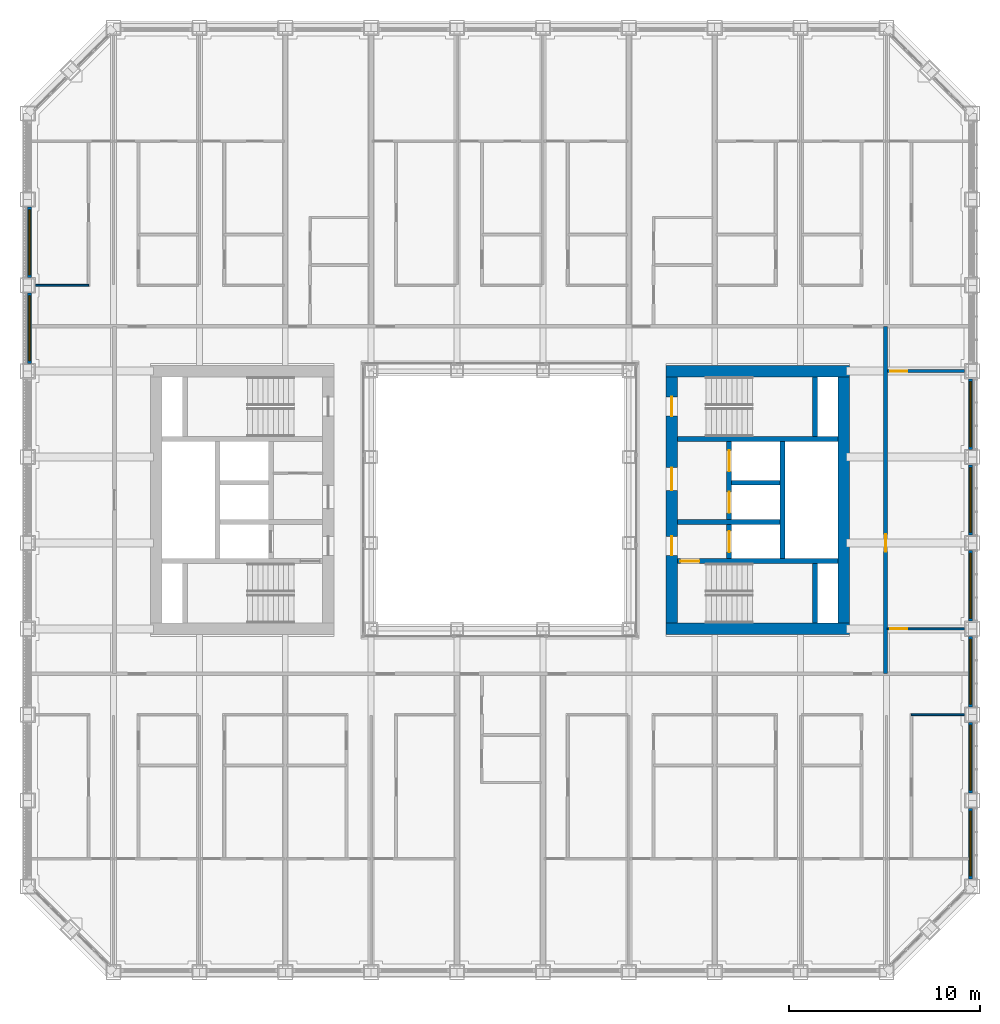
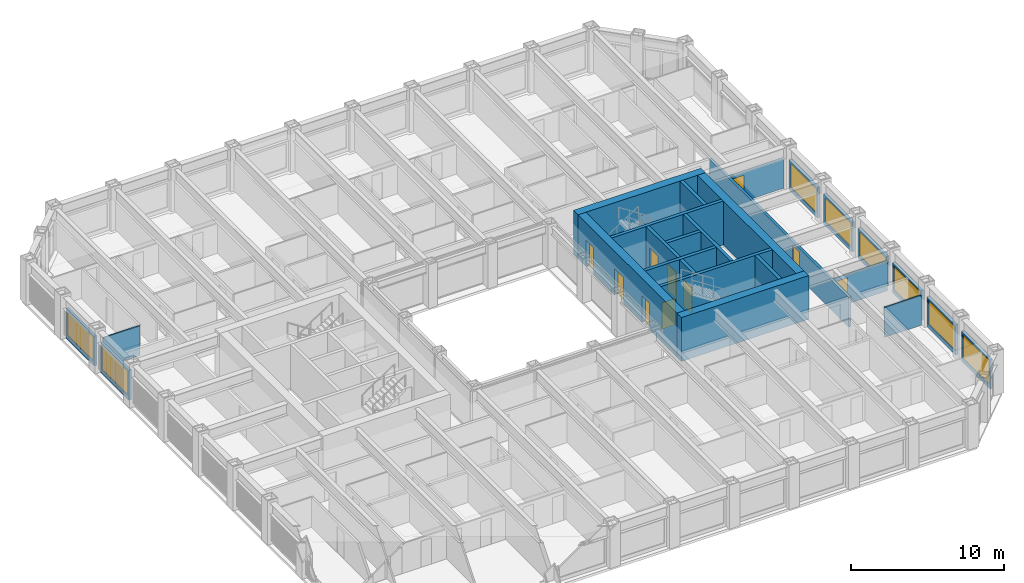
# One storey, part 12 of 20: 25 walls, 10 doors, 8 windows, 18 openings.
"""IFC4 building model written with IfcOpenShell, lengths in metres."""

from ifc_helpers import new_model, si_unit, direction, frame, frame_2d, origin, place, context, subcontext, project, spatial, rectangle, extrude, material, layer, layer_set, type_object, element, fill, save


model = new_model("IFC4")

# Units and contexts
model_context = context("Model", 3, precision=1e-05, world=origin(), true_north=direction((0.0, 1.0)))
body_context = subcontext(model_context, "Body", "Model", "MODEL_VIEW")
ifc_project = project(units=[si_unit("LENGTHUNIT", "METRE"), si_unit("AREAUNIT", "SQUARE_METRE"), si_unit("VOLUMEUNIT", "CUBIC_METRE"), si_unit("PLANEANGLEUNIT", "RADIAN"), si_unit("MASSUNIT", "GRAM", prefix="KILO")], contexts=[model_context])

# Site, building, storey
site_placement = place(None, origin())
site = spatial("IfcSite", under=ifc_project, at=site_placement, CompositionType="ELEMENT")
building_placement = place(site_placement, origin())
building = spatial("IfcBuilding", under=site, at=building_placement, Name="Msasa Ring Tower", CompositionType="ELEMENT")
storey_placement = place(building_placement, frame((0.0, 0.0, 65.0)))
storey = spatial("IfcBuildingStorey", under=building, at=storey_placement, Name="L16", CompositionType="ELEMENT", Elevation=65.0)

# Walls
ifc_material_1 = material(Name="Concrete C60/75", Category="concrete")
ifc_layer_1 = layer(ifc_material_1, 0.60009765625)
ifc_layer_set_1 = layer_set([ifc_layer_1], Name="CW1 CORE WALL 600")
wall_type_1 = type_object("IfcWallType", Name="CW1 CORE WALL 600", PredefinedType="SHEAR", material=ifc_layer_set_1)
for number, where, z_axis, x_axis, name in (
    (1, (8.699951171875, -6.75, 0.0), (0.0, 0.0, 1.0), (1.0, 0.0, 0.0), "E core wall S L16"),
    (2, (8.699951171875, 6.75, 0.0), (0.0, 0.0, 1.0), (1.0, 0.0, 0.0), "E core wall N L16"),
):
    element("IfcWall", number, at=place(storey_placement, frame(where, z_axis=z_axis, x_axis=x_axis)), inside=storey, type_object=wall_type_1, Name=name, PredefinedType="SHEAR", context=body_context, shape_type="SweptSolid", body=[
        extrude(rectangle(XDim=9.60009765625, YDim=0.60009765625, at=frame_2d((4.800048828125, 0.0))), origin(), (0.0, 0.0, 1.0), 3.5),
    ])

# Wall, openings, doors
wall_1_placement = place(storey_placement, frame((9.0, -6.449951171875, 0.0), z_axis=(0.0, 0.0, 1.0), x_axis=(0.0, 1.0, 0.0)))
wall_1 = element("IfcWall", 3, at=wall_1_placement, inside=storey, type_object=wall_type_1, Name="E core wall W L16", PredefinedType="SHEAR", context=body_context, shape_type="SweptSolid", body=[
    extrude(rectangle(XDim=12.89990234375, YDim=0.60009765625, at=frame_2d((6.449951171875, 0.0))), origin(), (0.0, 0.0, 1.0), 3.5),
])
opening_1_placement = place(wall_1_placement, frame((3.550048828125, 0.0, 0.0)))
opening_1 = element("IfcOpeningElement", 4, at=opening_1_placement, cuts=wall_1, Name="Opening RD-043", PredefinedType="OPENING", context=body_context, shape_type="SweptSolid", body=[
    extrude(rectangle(XDim=1.0, YDim=2.10009765625, at=frame_2d((0.5, 1.050048828125))), frame((0.0, 0.31005859375, 0.0), z_axis=(0.0, -1.0, 0.0), x_axis=(1.0, 0.0, 0.0)), (0.0, 0.0, 1.0), 0.6201171875),
])
opening_2_placement = place(wall_1_placement, frame((6.949951171875, 0.0, 0.0)))
opening_2 = element("IfcOpeningElement", 5, at=opening_2_placement, cuts=wall_1, Name="Opening RD-038", PredefinedType="OPENING", context=body_context, shape_type="SweptSolid", body=[
    extrude(rectangle(XDim=1.199951171875, YDim=2.10009765625, at=frame_2d((0.60009765625, 1.050048828125))), frame((0.0, 0.31005859375, 0.0), z_axis=(0.0, -1.0, 0.0), x_axis=(1.0, 0.0, 0.0)), (0.0, 0.0, 1.0), 0.6201171875),
])
opening_3_placement = place(wall_1_placement, frame((10.85009765625, 0.0, 0.0)))
opening_3 = element("IfcOpeningElement", 6, at=opening_3_placement, cuts=wall_1, Name="Opening RD-036", PredefinedType="OPENING", context=body_context, shape_type="SweptSolid", body=[
    extrude(rectangle(XDim=1.0, YDim=2.10009765625, at=frame_2d((0.5, 1.050048828125))), frame((0.0, 0.31005859375, 0.0), z_axis=(0.0, -1.0, 0.0), x_axis=(1.0, 0.0, 0.0)), (0.0, 0.0, 1.0), 0.6201171875),
])
ifc_material_2 = material(Name="Timber door leaf in a steel frame", Category="steel")
door_type_1 = type_object("IfcDoorType", Name="D4 LOBBY DOOR 1000x2100", OperationType="SINGLE_SWING_LEFT", PredefinedType="DOOR", material=ifc_material_2)
door_1_placement = place(opening_1_placement, origin())
door_1 = element("IfcDoor", 7, at=door_1_placement, inside=storey, type_object=door_type_1, Name="Door L16-EFFL", OperationType="SINGLE_SWING_LEFT", OverallHeight=2.10009765625, OverallWidth=1.0, PredefinedType="DOOR", context=body_context, shape_type="SweptSolid", body=[
    extrude(rectangle(XDim=1.0, YDim=2.10009765625, at=frame_2d((0.5, 1.050048828125))), frame((0.0, 0.02490234375, 0.0), z_axis=(0.0, -1.0, 0.0), x_axis=(1.0, 0.0, 0.0)), (0.0, 0.0, 1.0), 0.050048828125),
])
fill(opening_1, door_1)
ifc_material_3 = material(Name="Timber door leaf in a steel frame", Category="steel")
door_type_2 = type_object("IfcDoorType", Name="D5 WIDE LOBBY DOOR 1200x2100", OperationType="SINGLE_SWING_LEFT", PredefinedType="DOOR", material=ifc_material_3)
door_2_placement = place(opening_2_placement, origin())
door_2 = element("IfcDoor", 8, at=door_2_placement, inside=storey, type_object=door_type_2, Name="Door L16-ELL", OperationType="SINGLE_SWING_RIGHT", OverallHeight=2.10009765625, OverallWidth=1.199951171875, PredefinedType="DOOR", context=body_context, shape_type="SweptSolid", body=[
    extrude(rectangle(XDim=1.199951171875, YDim=2.10009765625, at=frame_2d((0.60009765625, 1.050048828125))), frame((0.0, 0.02490234375, 0.0), z_axis=(0.0, -1.0, 0.0), x_axis=(1.0, 0.0, 0.0)), (0.0, 0.0, 1.0), 0.050048828125),
])
fill(opening_2, door_2)
ifc_material_4 = material(Name="Timber door leaf in a steel frame", Category="steel")
door_type_3 = type_object("IfcDoorType", Name="D6 STAIR DOOR 1000x2100", OperationType="SINGLE_SWING_LEFT", PredefinedType="DOOR", material=ifc_material_4)
door_3_placement = place(opening_3_placement, origin())
door_3 = element("IfcDoor", 9, at=door_3_placement, inside=storey, type_object=door_type_3, Name="Door L16-ESTB", OperationType="SINGLE_SWING_RIGHT", OverallHeight=2.10009765625, OverallWidth=1.0, PredefinedType="DOOR", context=body_context, shape_type="SweptSolid", body=[
    extrude(rectangle(XDim=1.0, YDim=2.10009765625, at=frame_2d((0.5, 1.050048828125))), frame((0.0, 0.02490234375, 0.0), z_axis=(0.0, -1.0, 0.0), x_axis=(1.0, 0.0, 0.0)), (0.0, 0.0, 1.0), 0.050048828125),
])
fill(opening_3, door_3)

# Wall
wall_2_placement = place(storey_placement, frame((18.0, -6.449951171875, 0.0), z_axis=(0.0, 0.0, 1.0), x_axis=(0.0, 1.0, 0.0)))
element("IfcWall", 10, at=wall_2_placement, inside=storey, type_object=wall_type_1, Name="E core wall E L16", PredefinedType="SHEAR", context=body_context, shape_type="SweptSolid", body=[
    extrude(rectangle(XDim=12.89990234375, YDim=0.60009765625, at=frame_2d((6.449951171875, 0.0))), origin(), (0.0, 0.0, 1.0), 3.5),
])

# Wall, opening, door
ifc_material_5 = material(Name="Concrete C60/75", Category="concrete")
ifc_layer_2 = layer(ifc_material_5, 0.25)
ifc_layer_set_2 = layer_set([ifc_layer_2], Name="CW4 CORE INNER WALL 250")
wall_type_2 = type_object("IfcWallType", Name="CW4 CORE INNER WALL 250", PredefinedType="SHEAR", material=ifc_layer_set_2)
wall_3_placement = place(storey_placement, frame((9.300048828125, -3.199951171875, 0.0), z_axis=(0.0, 0.0, 1.0), x_axis=(1.0, 0.0, 0.0)))
wall_3 = element("IfcWall", 11, at=wall_3_placement, inside=storey, type_object=wall_type_2, Name="E core wall STAIRA L16", PredefinedType="SHEAR", context=body_context, shape_type="SweptSolid", body=[
    extrude(rectangle(XDim=8.39990234375, YDim=0.25, at=frame_2d((4.199951171875, 0.0))), origin(), (0.0, 0.0, 1.0), 3.5),
])
opening_4_placement = place(wall_3_placement, frame((0.14990234375, 0.0, 0.0)))
opening_4 = element("IfcOpeningElement", 12, at=opening_4_placement, cuts=wall_3, Name="Opening RD-045", PredefinedType="OPENING", context=body_context, shape_type="SweptSolid", body=[
    extrude(rectangle(XDim=1.0, YDim=2.10009765625, at=frame_2d((0.5, 1.050048828125))), frame((0.0, 0.135009765625, 0.0), z_axis=(0.0, -1.0, 0.0), x_axis=(1.0, 0.0, 0.0)), (0.0, 0.0, 1.0), 0.27001953125),
])
door_4_placement = place(opening_4_placement, origin())
door_4 = element("IfcDoor", 13, at=door_4_placement, inside=storey, type_object=door_type_3, Name="Door L16-ESTA", OperationType="SINGLE_SWING_LEFT", OverallHeight=2.10009765625, OverallWidth=1.0, PredefinedType="DOOR", context=body_context, shape_type="SweptSolid", body=[
    extrude(rectangle(XDim=1.0, YDim=2.10009765625, at=frame_2d((0.5, 1.050048828125))), frame((0.0, 0.02490234375, 0.0), z_axis=(0.0, -1.0, 0.0), x_axis=(1.0, 0.0, 0.0)), (0.0, 0.0, 1.0), 0.050048828125),
])
fill(opening_4, door_4)

# Walls
wall_4_placement = place(storey_placement, frame((9.300048828125, 3.199951171875, 0.0), z_axis=(0.0, 0.0, 1.0), x_axis=(1.0, 0.0, 0.0)))
element("IfcWall", 14, at=wall_4_placement, inside=storey, type_object=wall_type_2, Name="E core wall STAIRB L16", PredefinedType="SHEAR", context=body_context, shape_type="SweptSolid", body=[
    extrude(rectangle(XDim=8.39990234375, YDim=0.25, at=frame_2d((4.199951171875, 0.0))), origin(), (0.0, 0.0, 1.0), 3.5),
])
for number, where, z_axis, x_axis, name in (
    (15, (16.5, -6.449951171875, 0.0), (0.0, 0.0, 1.0), (0.0, 1.0, 0.0), "E core wall RISERA L16"),
    (16, (16.5, 3.324951171875, 0.0), (0.0, 0.0, 1.0), (0.0, 1.0, 0.0), "E core wall RISERB L16"),
):
    element("IfcWall", number, at=place(storey_placement, frame(where, z_axis=z_axis, x_axis=x_axis)), inside=storey, type_object=wall_type_2, Name=name, PredefinedType="SHEAR", context=body_context, shape_type="SweptSolid", body=[
        extrude(rectangle(XDim=3.125, YDim=0.25, at=frame_2d((1.5625, 0.0))), origin(), (0.0, 0.0, 1.0), 3.5),
    ])
wall_5_placement = place(storey_placement, frame((9.300048828125, -1.14990234375, 0.0), z_axis=(0.0, 0.0, 1.0), x_axis=(1.0, 0.0, 0.0)))
element("IfcWall", 17, at=wall_5_placement, inside=storey, type_object=wall_type_2, Name="E core wall FFL L16", PredefinedType="SHEAR", context=body_context, shape_type="SweptSolid", body=[
    extrude(rectangle(XDim=5.375, YDim=0.25, at=frame_2d((2.6875, 0.0))), origin(), (0.0, 0.0, 1.0), 3.5),
])

# Wall, openings, doors
wall_6_placement = place(storey_placement, frame((12.0, -3.074951171875, 0.0), z_axis=(0.0, 0.0, 1.0), x_axis=(0.0, 1.0, 0.0)))
wall_6 = element("IfcWall", 18, at=wall_6_placement, inside=storey, type_object=wall_type_2, Name="E core wall LOBBY L16", PredefinedType="SHEAR", context=body_context, shape_type="SweptSolid", body=[
    extrude(rectangle(XDim=6.14990234375, YDim=0.25, at=frame_2d((3.074951171875, 0.0))), origin(), (0.0, 0.0, 1.0), 3.5),
])
opening_5_placement = place(wall_6_placement, frame((0.35009765625, 0.0, 0.0)))
opening_5 = element("IfcOpeningElement", 19, at=opening_5_placement, cuts=wall_6, Name="Opening LD1", PredefinedType="OPENING", context=body_context, shape_type="SweptSolid", body=[
    extrude(rectangle(XDim=1.10009765625, YDim=2.10009765625, at=frame_2d((0.550048828125, 1.050048828125))), frame((0.0, 0.135009765625, 0.0), z_axis=(0.0, -1.0, 0.0), x_axis=(1.0, 0.0, 0.0)), (0.0, 0.0, 1.0), 0.27001953125),
])
opening_6_placement = place(wall_6_placement, frame((2.39990234375, 0.0, 0.0)))
opening_6 = element("IfcOpeningElement", 20, at=opening_6_placement, cuts=wall_6, Name="Opening LD1", PredefinedType="OPENING", context=body_context, shape_type="SweptSolid", body=[
    extrude(rectangle(XDim=1.10009765625, YDim=2.10009765625, at=frame_2d((0.550048828125, 1.050048828125))), frame((0.0, 0.135009765625, 0.0), z_axis=(0.0, -1.0, 0.0), x_axis=(1.0, 0.0, 0.0)), (0.0, 0.0, 1.0), 0.27001953125),
])
opening_7_placement = place(wall_6_placement, frame((4.574951171875, 0.0, 0.0)))
opening_7 = element("IfcOpeningElement", 21, at=opening_7_placement, cuts=wall_6, Name="Opening LD1", PredefinedType="OPENING", context=body_context, shape_type="SweptSolid", body=[
    extrude(rectangle(XDim=1.10009765625, YDim=2.10009765625, at=frame_2d((0.550048828125, 1.050048828125))), frame((0.0, 0.135009765625, 0.0), z_axis=(0.0, -1.0, 0.0), x_axis=(1.0, 0.0, 0.0)), (0.0, 0.0, 1.0), 0.27001953125),
])
ifc_material_6 = material(Name="Stainless steel lift landing door", Category="steel")
door_type_4 = type_object("IfcDoorType", Name="LD1 LIFT LANDING DOOR 1100x2100", OperationType="DOUBLE_DOOR_SLIDING", PredefinedType="DOOR", material=ifc_material_6)
door_5_placement = place(opening_5_placement, origin())
door_5 = element("IfcDoor", 22, at=door_5_placement, inside=storey, type_object=door_type_4, Name="Lift landing door FL-E L16", OperationType="DOUBLE_DOOR_SLIDING", OverallHeight=2.10009765625, OverallWidth=1.10009765625, PredefinedType="DOOR", context=body_context, shape_type="SweptSolid", body=[
    extrude(rectangle(XDim=1.10009765625, YDim=2.10009765625, at=frame_2d((0.550048828125, 1.050048828125))), frame((0.0, 0.02490234375, 0.0), z_axis=(0.0, -1.0, 0.0), x_axis=(1.0, 0.0, 0.0)), (0.0, 0.0, 1.0), 0.050048828125),
])
fill(opening_5, door_5)
door_6_placement = place(opening_6_placement, origin())
door_6 = element("IfcDoor", 23, at=door_6_placement, inside=storey, type_object=door_type_4, Name="Lift landing door PL-R1 L16", OperationType="DOUBLE_DOOR_SLIDING", OverallHeight=2.10009765625, OverallWidth=1.10009765625, PredefinedType="DOOR", context=body_context, shape_type="SweptSolid", body=[
    extrude(rectangle(XDim=1.10009765625, YDim=2.10009765625, at=frame_2d((0.550048828125, 1.050048828125))), frame((0.0, 0.02490234375, 0.0), z_axis=(0.0, -1.0, 0.0), x_axis=(1.0, 0.0, 0.0)), (0.0, 0.0, 1.0), 0.050048828125),
])
fill(opening_6, door_6)
door_7_placement = place(opening_7_placement, origin())
door_7 = element("IfcDoor", 24, at=door_7_placement, inside=storey, type_object=door_type_4, Name="Lift landing door PL-R2 L16", OperationType="DOUBLE_DOOR_SLIDING", OverallHeight=2.10009765625, OverallWidth=1.10009765625, PredefinedType="DOOR", context=body_context, shape_type="SweptSolid", body=[
    extrude(rectangle(XDim=1.10009765625, YDim=2.10009765625, at=frame_2d((0.550048828125, 1.050048828125))), frame((0.0, 0.02490234375, 0.0), z_axis=(0.0, -1.0, 0.0), x_axis=(1.0, 0.0, 0.0)), (0.0, 0.0, 1.0), 0.050048828125),
])
fill(opening_7, door_7)

# Walls
wall_7_placement = place(storey_placement, frame((14.800048828125, -3.074951171875, 0.0), z_axis=(0.0, 0.0, 1.0), x_axis=(0.0, 1.0, 0.0)))
element("IfcWall", 25, at=wall_7_placement, inside=storey, type_object=wall_type_2, Name="E core wall SHAFT L16", PredefinedType="SHEAR", context=body_context, shape_type="SweptSolid", body=[
    extrude(rectangle(XDim=6.14990234375, YDim=0.25, at=frame_2d((3.074951171875, 0.0))), origin(), (0.0, 0.0, 1.0), 3.5),
])
wall_8_placement = place(storey_placement, frame((12.125, 0.89990234375, 0.0), z_axis=(0.0, 0.0, 1.0), x_axis=(1.0, 0.0, 0.0)))
element("IfcWall", 26, at=wall_8_placement, inside=storey, type_object=wall_type_2, Name="E core wall LIFT1 L16", PredefinedType="SHEAR", context=body_context, shape_type="SweptSolid", body=[
    extrude(rectangle(XDim=2.550048828125, YDim=0.25, at=frame_2d((1.27490234375, 0.0))), origin(), (0.0, 0.0, 1.0), 3.5),
])

# Wall, opening, window
ifc_material_7 = material(Name="Terracotta rainscreen on blockwork", Category="masonry")
ifc_layer_3 = layer(ifc_material_7, 0.199951171875)
ifc_layer_set_3 = layer_set([ifc_layer_3], Name="FW1 TERRACOTTA-LINED INFILL BAY WALL 200")
wall_type_3 = type_object("IfcWallType", Name="FW1 TERRACOTTA-LINED INFILL BAY WALL 200", PredefinedType="SOLIDWALL", material=ifc_layer_set_3)
wall_9_placement = place(storey_placement, frame((24.64990234375, -19.844970703125, 0.0), z_axis=(0.0, 0.0, 1.0), x_axis=(0.0, 1.0, 0.0)))
wall_9 = element("IfcWall", 27, at=wall_9_placement, inside=storey, type_object=wall_type_3, Name="Infill bay wall E L16 11", PredefinedType="SOLIDWALL", context=body_context, shape_type="SweptSolid", body=[
    extrude(rectangle(XDim=3.68994140625, YDim=0.199951171875, at=frame_2d((1.844970703125, 0.0))), origin(), (0.0, 0.0, 1.0), 2.37890625),
])
opening_8_placement = place(wall_9_placement, frame((0.14501953125, 0.0, 0.300048828125)))
opening_8 = element("IfcOpeningElement", 28, at=opening_8_placement, cuts=wall_9, Name="Opening WN1", PredefinedType="OPENING", context=body_context, shape_type="SweptSolid", body=[
    extrude(rectangle(XDim=3.39990234375, YDim=1.928955078125, at=frame_2d((1.699951171875, 0.96435546875))), frame((0.0, 0.10986328125, 0.0), z_axis=(0.0, -1.0, 0.0), x_axis=(1.0, 0.0, 0.0)), (0.0, 0.0, 1.0), 0.219970703125),
])
ifc_material_8 = material(Name="Aluminium frame with clear glass", Category="aluminium")
window_type = type_object("IfcWindowType", Name="WN1 RESIDENCE WINDOW 3400x1929", PartitioningType="SINGLE_PANEL", PredefinedType="WINDOW", material=ifc_material_8)
window_1_placement = place(opening_8_placement, origin())
window_1 = element("IfcWindow", 29, at=window_1_placement, inside=storey, type_object=window_type, Name="Window E L16 11", OverallHeight=1.928955078125, OverallWidth=3.39990234375, PartitioningType="SINGLE_PANEL", PredefinedType="WINDOW", context=body_context, shape_type="SweptSolid", body=[
    extrude(rectangle(XDim=3.39990234375, YDim=1.928955078125, at=frame_2d((1.699951171875, 0.96435546875))), frame((0.0, 0.030029296875, 0.0), z_axis=(0.0, -1.0, 0.0), x_axis=(1.0, 0.0, 0.0)), (0.0, 0.0, 1.0), 0.06005859375),
])
fill(opening_8, window_1)

wall_10_placement = place(storey_placement, frame((24.64990234375, -15.344970703125, 0.0), z_axis=(0.0, 0.0, 1.0), x_axis=(0.0, 1.0, 0.0)))
wall_10 = element("IfcWall", 30, at=wall_10_placement, inside=storey, type_object=wall_type_3, Name="Infill bay wall E L16 12", PredefinedType="SOLIDWALL", context=body_context, shape_type="SweptSolid", body=[
    extrude(rectangle(XDim=3.68994140625, YDim=0.199951171875, at=frame_2d((1.844970703125, 0.0))), origin(), (0.0, 0.0, 1.0), 2.37890625),
])
opening_9_placement = place(wall_10_placement, frame((0.14501953125, 0.0, 0.300048828125)))
opening_9 = element("IfcOpeningElement", 31, at=opening_9_placement, cuts=wall_10, Name="Opening WN1", PredefinedType="OPENING", context=body_context, shape_type="SweptSolid", body=[
    extrude(rectangle(XDim=3.39990234375, YDim=1.928955078125, at=frame_2d((1.699951171875, 0.96435546875))), frame((0.0, 0.10986328125, 0.0), z_axis=(0.0, -1.0, 0.0), x_axis=(1.0, 0.0, 0.0)), (0.0, 0.0, 1.0), 0.219970703125),
])
window_2_placement = place(opening_9_placement, origin())
window_2 = element("IfcWindow", 32, at=window_2_placement, inside=storey, type_object=window_type, Name="Window E L16 12", OverallHeight=1.928955078125, OverallWidth=3.39990234375, PartitioningType="SINGLE_PANEL", PredefinedType="WINDOW", context=body_context, shape_type="SweptSolid", body=[
    extrude(rectangle(XDim=3.39990234375, YDim=1.928955078125, at=frame_2d((1.699951171875, 0.96435546875))), frame((0.0, 0.030029296875, 0.0), z_axis=(0.0, -1.0, 0.0), x_axis=(1.0, 0.0, 0.0)), (0.0, 0.0, 1.0), 0.06005859375),
])
fill(opening_9, window_2)

wall_11_placement = place(storey_placement, frame((24.64990234375, -10.844970703125, 0.0), z_axis=(0.0, 0.0, 1.0), x_axis=(0.0, 1.0, 0.0)))
wall_11 = element("IfcWall", 33, at=wall_11_placement, inside=storey, type_object=wall_type_3, Name="Infill bay wall E L16 13", PredefinedType="SOLIDWALL", context=body_context, shape_type="SweptSolid", body=[
    extrude(rectangle(XDim=3.68994140625, YDim=0.199951171875, at=frame_2d((1.844970703125, 0.0))), origin(), (0.0, 0.0, 1.0), 2.37890625),
])
opening_10_placement = place(wall_11_placement, frame((0.14501953125, 0.0, 0.300048828125)))
opening_10 = element("IfcOpeningElement", 34, at=opening_10_placement, cuts=wall_11, Name="Opening WN1", PredefinedType="OPENING", context=body_context, shape_type="SweptSolid", body=[
    extrude(rectangle(XDim=3.39990234375, YDim=1.928955078125, at=frame_2d((1.699951171875, 0.96435546875))), frame((0.0, 0.10986328125, 0.0), z_axis=(0.0, -1.0, 0.0), x_axis=(1.0, 0.0, 0.0)), (0.0, 0.0, 1.0), 0.219970703125),
])
window_3_placement = place(opening_10_placement, origin())
window_3 = element("IfcWindow", 35, at=window_3_placement, inside=storey, type_object=window_type, Name="Window E L16 13", OverallHeight=1.928955078125, OverallWidth=3.39990234375, PartitioningType="SINGLE_PANEL", PredefinedType="WINDOW", context=body_context, shape_type="SweptSolid", body=[
    extrude(rectangle(XDim=3.39990234375, YDim=1.928955078125, at=frame_2d((1.699951171875, 0.96435546875))), frame((0.0, 0.030029296875, 0.0), z_axis=(0.0, -1.0, 0.0), x_axis=(1.0, 0.0, 0.0)), (0.0, 0.0, 1.0), 0.06005859375),
])
fill(opening_10, window_3)

wall_12_placement = place(storey_placement, frame((24.64990234375, -6.344970703125, 0.0), z_axis=(0.0, 0.0, 1.0), x_axis=(0.0, 1.0, 0.0)))
wall_12 = element("IfcWall", 36, at=wall_12_placement, inside=storey, type_object=wall_type_3, Name="Infill bay wall E L16 14", PredefinedType="SOLIDWALL", context=body_context, shape_type="SweptSolid", body=[
    extrude(rectangle(XDim=3.68994140625, YDim=0.199951171875, at=frame_2d((1.844970703125, 0.0))), origin(), (0.0, 0.0, 1.0), 2.37890625),
])
opening_11_placement = place(wall_12_placement, frame((0.14501953125, 0.0, 0.300048828125)))
opening_11 = element("IfcOpeningElement", 37, at=opening_11_placement, cuts=wall_12, Name="Opening WN1", PredefinedType="OPENING", context=body_context, shape_type="SweptSolid", body=[
    extrude(rectangle(XDim=3.39990234375, YDim=1.928955078125, at=frame_2d((1.699951171875, 0.96435546875))), frame((0.0, 0.10986328125, 0.0), z_axis=(0.0, -1.0, 0.0), x_axis=(1.0, 0.0, 0.0)), (0.0, 0.0, 1.0), 0.219970703125),
])
window_4_placement = place(opening_11_placement, origin())
window_4 = element("IfcWindow", 38, at=window_4_placement, inside=storey, type_object=window_type, Name="Window E L16 14", OverallHeight=1.928955078125, OverallWidth=3.39990234375, PartitioningType="SINGLE_PANEL", PredefinedType="WINDOW", context=body_context, shape_type="SweptSolid", body=[
    extrude(rectangle(XDim=3.39990234375, YDim=1.928955078125, at=frame_2d((1.699951171875, 0.96435546875))), frame((0.0, 0.030029296875, 0.0), z_axis=(0.0, -1.0, 0.0), x_axis=(1.0, 0.0, 0.0)), (0.0, 0.0, 1.0), 0.06005859375),
])
fill(opening_11, window_4)

wall_13_placement = place(storey_placement, frame((24.64990234375, -1.844970703125, 0.0), z_axis=(0.0, 0.0, 1.0), x_axis=(0.0, 1.0, 0.0)))
wall_13 = element("IfcWall", 39, at=wall_13_placement, inside=storey, type_object=wall_type_3, Name="Infill bay wall E L16 15", PredefinedType="SOLIDWALL", context=body_context, shape_type="SweptSolid", body=[
    extrude(rectangle(XDim=3.68994140625, YDim=0.199951171875, at=frame_2d((1.844970703125, 0.0))), origin(), (0.0, 0.0, 1.0), 2.37890625),
])
opening_12_placement = place(wall_13_placement, frame((0.14501953125, 0.0, 0.300048828125)))
opening_12 = element("IfcOpeningElement", 40, at=opening_12_placement, cuts=wall_13, Name="Opening WN1", PredefinedType="OPENING", context=body_context, shape_type="SweptSolid", body=[
    extrude(rectangle(XDim=3.39990234375, YDim=1.928955078125, at=frame_2d((1.699951171875, 0.96435546875))), frame((0.0, 0.10986328125, 0.0), z_axis=(0.0, -1.0, 0.0), x_axis=(1.0, 0.0, 0.0)), (0.0, 0.0, 1.0), 0.219970703125),
])
window_5_placement = place(opening_12_placement, origin())
window_5 = element("IfcWindow", 41, at=window_5_placement, inside=storey, type_object=window_type, Name="Window E L16 15", OverallHeight=1.928955078125, OverallWidth=3.39990234375, PartitioningType="SINGLE_PANEL", PredefinedType="WINDOW", context=body_context, shape_type="SweptSolid", body=[
    extrude(rectangle(XDim=3.39990234375, YDim=1.928955078125, at=frame_2d((1.699951171875, 0.96435546875))), frame((0.0, 0.030029296875, 0.0), z_axis=(0.0, -1.0, 0.0), x_axis=(1.0, 0.0, 0.0)), (0.0, 0.0, 1.0), 0.06005859375),
])
fill(opening_12, window_5)

wall_14_placement = place(storey_placement, frame((24.64990234375, 2.655029296875, 0.0), z_axis=(0.0, 0.0, 1.0), x_axis=(0.0, 1.0, 0.0)))
wall_14 = element("IfcWall", 42, at=wall_14_placement, inside=storey, type_object=wall_type_3, Name="Infill bay wall E L16 16", PredefinedType="SOLIDWALL", context=body_context, shape_type="SweptSolid", body=[
    extrude(rectangle(XDim=3.68994140625, YDim=0.199951171875, at=frame_2d((1.844970703125, 0.0))), origin(), (0.0, 0.0, 1.0), 2.37890625),
])
opening_13_placement = place(wall_14_placement, frame((0.14501953125, 0.0, 0.300048828125)))
opening_13 = element("IfcOpeningElement", 43, at=opening_13_placement, cuts=wall_14, Name="Opening WN1", PredefinedType="OPENING", context=body_context, shape_type="SweptSolid", body=[
    extrude(rectangle(XDim=3.39990234375, YDim=1.928955078125, at=frame_2d((1.699951171875, 0.96435546875))), frame((0.0, 0.10986328125, 0.0), z_axis=(0.0, -1.0, 0.0), x_axis=(1.0, 0.0, 0.0)), (0.0, 0.0, 1.0), 0.219970703125),
])
window_6_placement = place(opening_13_placement, origin())
window_6 = element("IfcWindow", 44, at=window_6_placement, inside=storey, type_object=window_type, Name="Window E L16 16", OverallHeight=1.928955078125, OverallWidth=3.39990234375, PartitioningType="SINGLE_PANEL", PredefinedType="WINDOW", context=body_context, shape_type="SweptSolid", body=[
    extrude(rectangle(XDim=3.39990234375, YDim=1.928955078125, at=frame_2d((1.699951171875, 0.96435546875))), frame((0.0, 0.030029296875, 0.0), z_axis=(0.0, -1.0, 0.0), x_axis=(1.0, 0.0, 0.0)), (0.0, 0.0, 1.0), 0.06005859375),
])
fill(opening_13, window_6)

wall_15_placement = place(storey_placement, frame((-24.64990234375, 7.155029296875, 0.0), z_axis=(0.0, 0.0, 1.0), x_axis=(0.0, 1.0, 0.0)))
wall_15 = element("IfcWall", 45, at=wall_15_placement, inside=storey, type_object=wall_type_3, Name="Infill bay wall W L16 39", PredefinedType="SOLIDWALL", context=body_context, shape_type="SweptSolid", body=[
    extrude(rectangle(XDim=3.68994140625, YDim=0.199951171875, at=frame_2d((1.844970703125, 0.0))), origin(), (0.0, 0.0, 1.0), 2.37890625),
])
opening_14_placement = place(wall_15_placement, frame((0.14501953125, 0.0, 0.300048828125)))
opening_14 = element("IfcOpeningElement", 46, at=opening_14_placement, cuts=wall_15, Name="Opening WN1", PredefinedType="OPENING", context=body_context, shape_type="SweptSolid", body=[
    extrude(rectangle(XDim=3.39990234375, YDim=1.928955078125, at=frame_2d((1.699951171875, 0.96435546875))), frame((0.0, 0.10986328125, 0.0), z_axis=(0.0, -1.0, 0.0), x_axis=(1.0, 0.0, 0.0)), (0.0, 0.0, 1.0), 0.219970703125),
])
window_7_placement = place(opening_14_placement, origin())
window_7 = element("IfcWindow", 47, at=window_7_placement, inside=storey, type_object=window_type, Name="Window W L16 39", OverallHeight=1.928955078125, OverallWidth=3.39990234375, PartitioningType="SINGLE_PANEL", PredefinedType="WINDOW", context=body_context, shape_type="SweptSolid", body=[
    extrude(rectangle(XDim=3.39990234375, YDim=1.928955078125, at=frame_2d((1.699951171875, 0.96435546875))), frame((0.0, 0.030029296875, 0.0), z_axis=(0.0, -1.0, 0.0), x_axis=(1.0, 0.0, 0.0)), (0.0, 0.0, 1.0), 0.06005859375),
])
fill(opening_14, window_7)

wall_16_placement = place(storey_placement, frame((-24.64990234375, 11.655029296875, 0.0), z_axis=(0.0, 0.0, 1.0), x_axis=(0.0, 1.0, 0.0)))
wall_16 = element("IfcWall", 48, at=wall_16_placement, inside=storey, type_object=wall_type_3, Name="Infill bay wall W L16 40", PredefinedType="SOLIDWALL", context=body_context, shape_type="SweptSolid", body=[
    extrude(rectangle(XDim=3.68994140625, YDim=0.199951171875, at=frame_2d((1.844970703125, 0.0))), origin(), (0.0, 0.0, 1.0), 2.37890625),
])
opening_15_placement = place(wall_16_placement, frame((0.14501953125, 0.0, 0.300048828125)))
opening_15 = element("IfcOpeningElement", 49, at=opening_15_placement, cuts=wall_16, Name="Opening WN1", PredefinedType="OPENING", context=body_context, shape_type="SweptSolid", body=[
    extrude(rectangle(XDim=3.39990234375, YDim=1.928955078125, at=frame_2d((1.699951171875, 0.96435546875))), frame((0.0, 0.10986328125, 0.0), z_axis=(0.0, -1.0, 0.0), x_axis=(1.0, 0.0, 0.0)), (0.0, 0.0, 1.0), 0.219970703125),
])
window_8_placement = place(opening_15_placement, origin())
window_8 = element("IfcWindow", 50, at=window_8_placement, inside=storey, type_object=window_type, Name="Window W L16 40", OverallHeight=1.928955078125, OverallWidth=3.39990234375, PartitioningType="SINGLE_PANEL", PredefinedType="WINDOW", context=body_context, shape_type="SweptSolid", body=[
    extrude(rectangle(XDim=3.39990234375, YDim=1.928955078125, at=frame_2d((1.699951171875, 0.96435546875))), frame((0.0, 0.030029296875, 0.0), z_axis=(0.0, -1.0, 0.0), x_axis=(1.0, 0.0, 0.0)), (0.0, 0.0, 1.0), 0.06005859375),
])
fill(opening_15, window_8)

# Wall, opening, door
ifc_material_9 = material(Name="Concrete blockwork", Category="masonry")
ifc_layer_4 = layer(ifc_material_9, 0.199951171875)
ifc_layer_set_4 = layer_set([ifc_layer_4], Name="PT1 CORRIDOR WALL 200")
wall_type_4 = type_object("IfcWallType", Name="PT1 CORRIDOR WALL 200", PredefinedType="PARTITIONING", material=ifc_layer_set_4)
wall_17_placement = place(storey_placement, frame((20.199951171875, -9.10009765625, 0.0), z_axis=(0.0, 0.0, 1.0), x_axis=(0.0, 1.0, 0.0)))
wall_17 = element("IfcWall", 51, at=wall_17_placement, inside=storey, type_object=wall_type_4, Name="Corridor wall L16-STRE", PredefinedType="PARTITIONING", context=body_context, shape_type="SweptSolid", body=[
    extrude(rectangle(XDim=18.2001953125, YDim=0.199951171875, at=frame_2d((9.10009765625, 0.0))), origin(), (0.0, 0.0, 1.0), 2.373291015625),
])
opening_16_placement = place(wall_17_placement, frame((6.39990234375, 0.0, 0.0)))
opening_16 = element("IfcOpeningElement", 52, at=opening_16_placement, cuts=wall_17, Name="Opening RD-041", PredefinedType="OPENING", context=body_context, shape_type="SweptSolid", body=[
    extrude(rectangle(XDim=0.89990234375, YDim=2.10009765625, at=frame_2d((0.449951171875, 1.050048828125))), frame((0.0, 0.10986328125, 0.0), z_axis=(0.0, -1.0, 0.0), x_axis=(1.0, 0.0, 0.0)), (0.0, 0.0, 1.0), 0.219970703125),
])
ifc_material_10 = material(Name="Timber door leaf in a steel frame", Category="steel")
door_type_5 = type_object("IfcDoorType", Name="D2 ENTRANCE DOOR 900x2100", OperationType="SINGLE_SWING_LEFT", PredefinedType="DOOR", material=ifc_material_10)
door_8_placement = place(opening_16_placement, origin())
door_8 = element("IfcDoor", 53, at=door_8_placement, inside=storey, type_object=door_type_5, Name="Door L16-STE", OperationType="SINGLE_SWING_LEFT", OverallHeight=2.10009765625, OverallWidth=0.89990234375, PredefinedType="DOOR", context=body_context, shape_type="SweptSolid", body=[
    extrude(rectangle(XDim=0.89990234375, YDim=2.10009765625, at=frame_2d((0.449951171875, 1.050048828125))), frame((0.0, 0.02490234375, 0.0), z_axis=(0.0, -1.0, 0.0), x_axis=(1.0, 0.0, 0.0)), (0.0, 0.0, 1.0), 0.050048828125),
])
fill(opening_16, door_8)

# Walls
ifc_material_11 = material(Name="Gypsum board on steel studs", Category="steel")
ifc_layer_5 = layer(ifc_material_11, 0.10009765625)
ifc_layer_set_5 = layer_set([ifc_layer_5], Name="PT2 STUD PARTITION 100")
wall_type_5 = type_object("IfcWallType", Name="PT2 STUD PARTITION 100", PredefinedType="PARTITIONING", material=ifc_layer_set_5)
for number, where, z_axis, x_axis, name in (
    (54, (-24.35009765625, 11.25, 0.0), (0.0, 0.0, 1.0), (1.0, 0.0, 0.0), "Partition L16-UN00HY0"),
    (55, (21.550048828125, -11.25, 0.0), (0.0, 0.0, 1.0), (1.0, 0.0, 0.0), "Partition L16-US04HY0"),
):
    element("IfcWall", number, at=place(storey_placement, frame(where, z_axis=z_axis, x_axis=x_axis)), inside=storey, type_object=wall_type_5, Name=name, PredefinedType="PARTITIONING", context=body_context, shape_type="SweptSolid", body=[
        extrude(rectangle(XDim=2.800048828125, YDim=0.10009765625, at=frame_2d((1.39990234375, 0.0))), origin(), (0.0, 0.0, 1.0), 2.373291015625),
    ])

# Wall, opening, door
wall_18_placement = place(storey_placement, frame((20.300048828125, -6.75, 0.0), z_axis=(0.0, 0.0, 1.0), x_axis=(1.0, 0.0, 0.0)))
wall_18 = element("IfcWall", 56, at=wall_18_placement, inside=storey, type_object=wall_type_5, Name="Partition L16-STEKY", PredefinedType="PARTITIONING", context=body_context, shape_type="SweptSolid", body=[
    extrude(rectangle(XDim=4.050048828125, YDim=0.10009765625, at=frame_2d((2.02490234375, 0.0))), origin(), (0.0, 0.0, 1.0), 2.373291015625),
])
opening_17_placement = place(wall_18_placement, frame((0.14990234375, 0.0, 0.0)))
opening_17 = element("IfcOpeningElement", 57, at=opening_17_placement, cuts=wall_18, Name="Opening RD-046", PredefinedType="OPENING", context=body_context, shape_type="SweptSolid", body=[
    extrude(rectangle(XDim=0.89990234375, YDim=2.10009765625, at=frame_2d((0.449951171875, 1.050048828125))), frame((0.0, 0.06005859375, 0.0), z_axis=(0.0, -1.0, 0.0), x_axis=(1.0, 0.0, 0.0)), (0.0, 0.0, 1.0), 0.1201171875),
])
ifc_material_12 = material(Name="Timber door leaf in a steel frame", Category="steel")
door_type_6 = type_object("IfcDoorType", Name="D22 INTERNAL HALL DOOR 900x2100", OperationType="SINGLE_SWING_LEFT", PredefinedType="DOOR", material=ifc_material_12)
door_9_placement = place(opening_17_placement, origin())
door_9 = element("IfcDoor", 58, at=door_9_placement, inside=storey, type_object=door_type_6, Name="Door L16-STEK", OperationType="SINGLE_SWING_LEFT", OverallHeight=2.10009765625, OverallWidth=0.89990234375, PredefinedType="DOOR", context=body_context, shape_type="SweptSolid", body=[
    extrude(rectangle(XDim=0.89990234375, YDim=2.10009765625, at=frame_2d((0.449951171875, 1.050048828125))), frame((0.0, 0.02490234375, 0.0), z_axis=(0.0, -1.0, 0.0), x_axis=(1.0, 0.0, 0.0)), (0.0, 0.0, 1.0), 0.050048828125),
])
fill(opening_17, door_9)

ifc_material_13 = material(Name="Moisture-resistant board on steel studs with a concealed cistern and pipe void, tiled", Category="steel")
ifc_layer_6 = layer(ifc_material_13, 0.14990234375)
ifc_layer_set_6 = layer_set([ifc_layer_6], Name="PT4 BATHROOM WET WALL 150")
wall_type_6 = type_object("IfcWallType", Name="PT4 BATHROOM WET WALL 150", PredefinedType="PARTITIONING", material=ifc_layer_set_6)
wall_19_placement = place(storey_placement, frame((20.300048828125, 6.75, 0.0), z_axis=(0.0, 0.0, 1.0), x_axis=(1.0, 0.0, 0.0)))
wall_19 = element("IfcWall", 59, at=wall_19_placement, inside=storey, type_object=wall_type_6, Name="Partition L16-STEBY", PredefinedType="PARTITIONING", context=body_context, shape_type="SweptSolid", body=[
    extrude(rectangle(XDim=4.050048828125, YDim=0.14990234375, at=frame_2d((2.02490234375, 0.0))), origin(), (0.0, 0.0, 1.0), 2.373291015625),
])
opening_18_placement = place(wall_19_placement, frame((0.14990234375, 0.0, 0.0)))
opening_18 = element("IfcOpeningElement", 60, at=opening_18_placement, cuts=wall_19, Name="Opening RD-034", PredefinedType="OPENING", context=body_context, shape_type="SweptSolid", body=[
    extrude(rectangle(XDim=0.89990234375, YDim=2.10009765625, at=frame_2d((0.449951171875, 1.050048828125))), frame((0.0, 0.0849609375, 0.0), z_axis=(0.0, -1.0, 0.0), x_axis=(1.0, 0.0, 0.0)), (0.0, 0.0, 1.0), 0.169921875),
])
ifc_material_14 = material(Name="Timber door leaf in a steel frame", Category="steel")
door_type_7 = type_object("IfcDoorType", Name="D3 BATHROOM DOOR 900x2100", OperationType="SINGLE_SWING_LEFT", PredefinedType="DOOR", material=ifc_material_14)
door_10_placement = place(opening_18_placement, origin())
door_10 = element("IfcDoor", 61, at=door_10_placement, inside=storey, type_object=door_type_7, Name="Door L16-STEB", OperationType="SINGLE_SWING_LEFT", OverallHeight=2.10009765625, OverallWidth=0.89990234375, PredefinedType="DOOR", context=body_context, shape_type="SweptSolid", body=[
    extrude(rectangle(XDim=0.89990234375, YDim=2.10009765625, at=frame_2d((0.449951171875, 1.050048828125))), frame((0.0, 0.02490234375, 0.0), z_axis=(0.0, -1.0, 0.0), x_axis=(1.0, 0.0, 0.0)), (0.0, 0.0, 1.0), 0.050048828125),
])
fill(opening_18, door_10)

save(model, "model.ifc")
